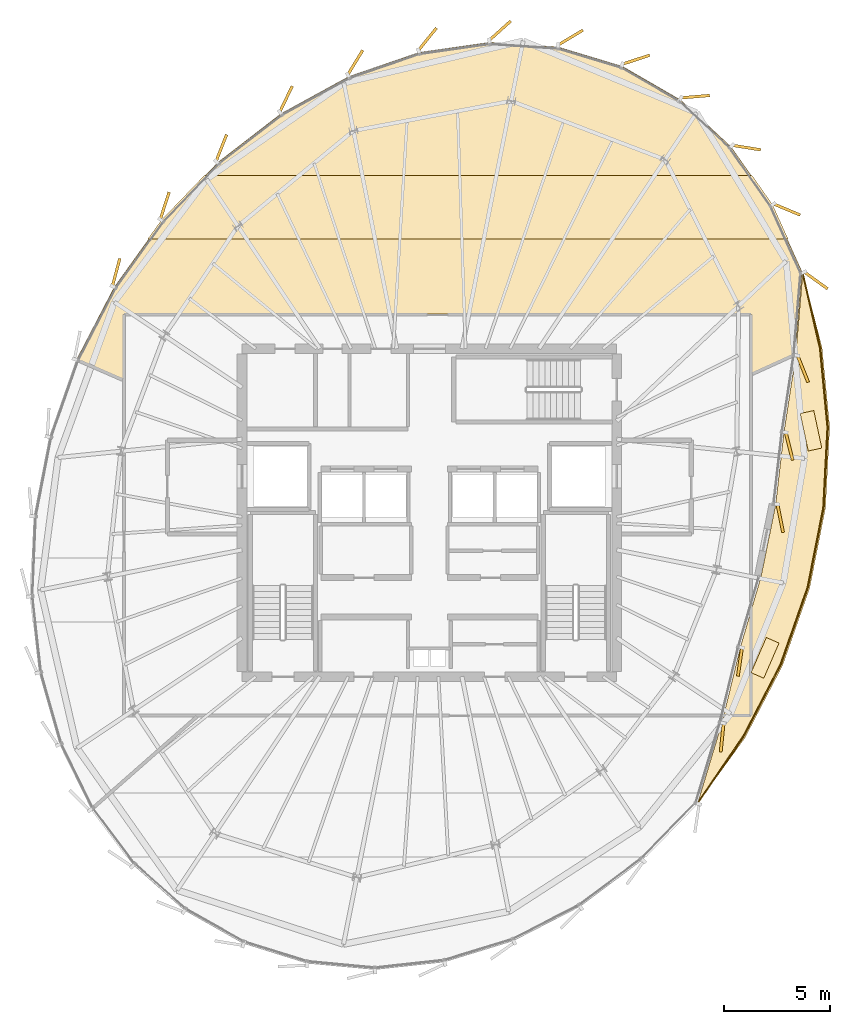
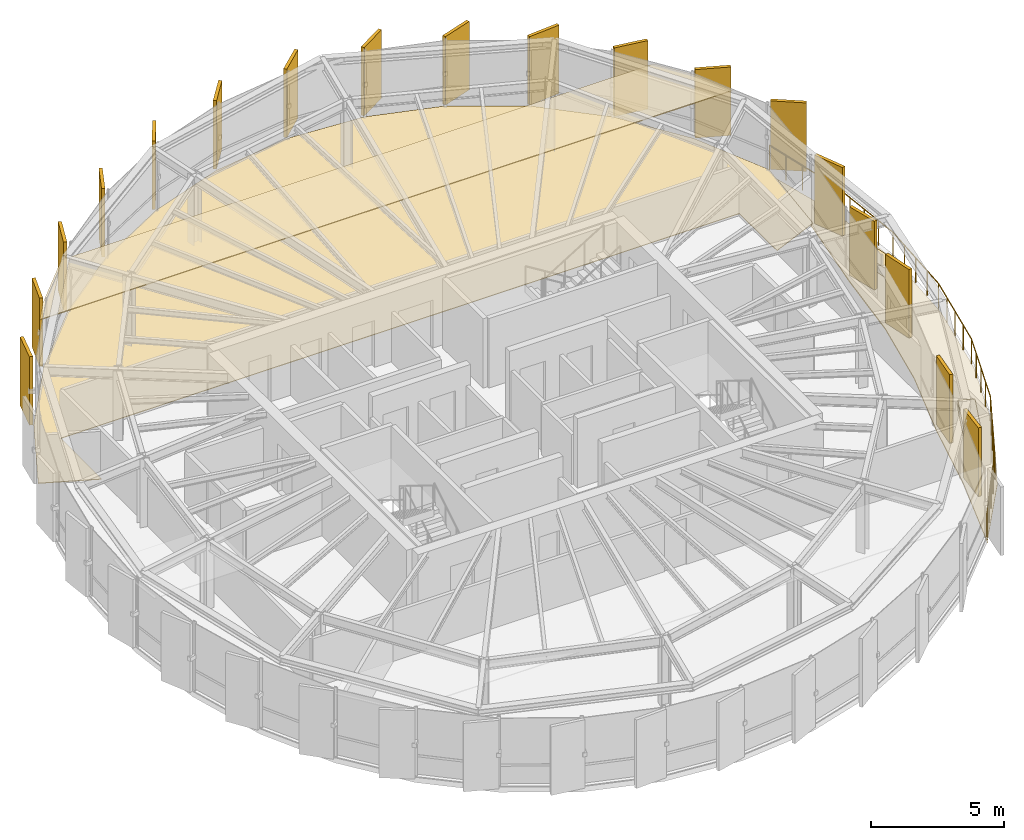
# One storey, part 31 of 31: 23 coverings, 7 railings.
"""IFC4 building model written with IfcOpenShell, lengths in metres."""

from ifc_helpers import new_model, si_unit, direction, frame, origin, origin_2d, place, context, subcontext, project, spatial, polyline, rectangle, circle, outline, extrude, source, transform, mapped, material, layer, layer_set, type_object, element, save


model = new_model("IFC4")

# Units and contexts
model_context = context("Model", 3, precision=1e-05, world=origin(), true_north=direction((0.0, 1.0)))
body_context = subcontext(model_context, "Body", "Model", "MODEL_VIEW")
ifc_project = project(units=[si_unit("LENGTHUNIT", "METRE"), si_unit("AREAUNIT", "SQUARE_METRE"), si_unit("VOLUMEUNIT", "CUBIC_METRE"), si_unit("PLANEANGLEUNIT", "RADIAN"), si_unit("MASSUNIT", "GRAM", prefix="KILO"), si_unit("THERMODYNAMICTEMPERATUREUNIT", "KELVIN")], contexts=[model_context])

# Site, building, storey
site_placement = place(None, origin())
site = spatial("IfcSite", under=ifc_project, at=site_placement, CompositionType="ELEMENT")
building_placement = place(site_placement, origin())
building = spatial("IfcBuilding", under=site, at=building_placement, Name="Kethvar Cultural Tower", CompositionType="ELEMENT")
storey_placement = place(building_placement, frame((0.0, 0.0, 300.85009765625)))
storey = spatial("IfcBuildingStorey", under=building, at=storey_placement, Name="L80", CompositionType="ELEMENT", Elevation=300.85009765625)

# Coverings
ifc_material_1 = material(Name="Acoustic Mineral Fibre Ceiling")
ifc_layer_1 = layer(ifc_material_1, 0.0400390625, Name="Acoustic Mineral Fibre Ceiling")
ifc_layer_set_1 = layer_set([ifc_layer_1], Name="Acoustic Mineral Fibre Ceiling (40 mm)")
covering_type_1 = type_object("IfcCoveringType", Name="CV-ACOUSTIC-CEIL", PredefinedType="CEILING", material=ifc_layer_set_1)
covering_1_placement = place(storey_placement, frame((0.0, 0.0, 2.889892578125)))
element("IfcCovering", 1, at=covering_1_placement, inside=storey, type_object=covering_type_1, Name="L80 Room 02 Acoustic Ceiling Panel", PredefinedType="CEILING", context=body_context, shape_type="SweptSolid", body=[
    extrude(outline(polyline([(34.210205078125, 41.530517578125), (36.23876953125, 43.64208984375), (61.948486328125, 43.64208984375), (62.91943359375, 42.259765625), (63.643798828125, 40.652099609375), (33.580322265625, 40.652099609375), (34.210205078125, 41.530517578125)])), origin(), (0.0, 0.0, 1.0), 0.0400390625),
])
ifc_material_2 = material(Name="Architectural Oak Timber", Category="wood")
ifc_layer_2 = layer(ifc_material_2, 0.02490234375, Name="Architectural Oak Timber", Category="wood")
ifc_layer_set_2 = layer_set([ifc_layer_2], Name="Architectural Oak Timber (25 mm)")
covering_type_2 = type_object("IfcCoveringType", Name="CV-OAK-FLOOR", PredefinedType="FLOORING", material=ifc_layer_set_2)
covering_2_placement = place(storey_placement, origin())
element("IfcCovering", 2, at=covering_2_placement, inside=storey, type_object=covering_type_2, Name="L80 Room 02 Floor Finish", PredefinedType="FLOORING", context=body_context, shape_type="SweptSolid", body=[
    extrude(outline(polyline([(32.002685546875, 38.3837890625), (34.241943359375, 41.506103515625), (36.880126953125, 44.251953125), (39.836181640625, 46.535400390625), (43.015869140625, 48.27734375), (46.315673828125, 49.409912109375), (49.6279296875, 49.882080078125), (52.84619140625, 49.664794921875), (55.867919921875, 48.75439453125), (58.599853515625, 47.1748046875), (60.961181640625, 44.977783203125), (62.884521484375, 42.239990234375), (64.31640625, 39.062255859375), (63.98681640625, 35.19677734375), (61.922119140625, 34.310791015625), (61.904052734375, 37.119873046875), (32.4599609375, 37.1201171875), (32.43994140625, 34.035888671875), (30.236572265625, 34.989501953125), (32.002685546875, 38.3837890625)])), origin(), (0.0, 0.0, 1.0), 0.02490234375),
])
ifc_material_3 = material(Name="Insulated Waterproofing Membrane")
ifc_layer_3 = layer(ifc_material_3, 0.06005859375, Name="Insulated Waterproofing Membrane")
ifc_layer_set_3 = layer_set([ifc_layer_3], Name="Insulated Waterproofing Membrane (60 mm)")
covering_type_3 = type_object("IfcCoveringType", Name="CV-ROOF-MEMB", PredefinedType="ROOFING", material=ifc_layer_set_3)
covering_3_placement = place(storey_placement, frame((0.0, 0.0, -0.275146484375)))
element("IfcCovering", 3, at=covering_3_placement, inside=storey, type_object=covering_type_3, Name="L80 Terrace Waterproofing", PredefinedType="ROOFING", context=body_context, shape_type="SweptSolid", body=[
    extrude(outline(polyline([(59.395263671875, 14.13134765625), (61.618408203125, 17.215087890625), (63.39111328125, 20.620361328125), (64.663818359375, 24.253173828125), (65.40771484375, 28.025634765625), (65.603515625, 31.831298828125), (65.244384765625, 35.552490234375), (64.3369140625, 39.06591796875), (64.005859375, 35.18310546875), (63.455810546875, 31.5830078125), (63.06201171875, 28.1650390625), (62.3779296875, 24.797607421875), (61.406982421875, 21.47900390625), (60.539306640625, 17.926513671875), (59.395263671875, 14.13134765625)])), origin(), (0.0, 0.0, 1.0), 0.06005859375),
])

# Railings
ifc_material_4 = material(Name="Steel S355J2", Category="steel")
railing_type = type_object("IfcRailingType", Name="RL-EXT-GUARD-1150", PredefinedType="BALUSTRADE", material=ifc_material_4)
railing_1_placement = place(storey_placement, frame((59.395263671875, 14.13134765625, 0.0)))
element("IfcRailing", 4, at=railing_1_placement, inside=storey, type_object=railing_type, Name="L80 Spiralling Terrace Balustrade 01", PredefinedType="BALUSTRADE", context=body_context, shape_type="SweptSolid", body=[
    extrude(circle(Radius=0.02392578125, at=origin_2d()), frame((0.0, 0.0, 1.1259765625), z_axis=(0.563235210067, 0.826296616319, 0.0), x_axis=(-0.826296616319, 0.563235210067, 0.0)), (0.0, 0.0, 1.0), 3.80224609375),
    extrude(circle(Radius=0.02099609375, at=origin_2d()), origin(), (0.0, 0.0, 1.0), 1.101806640625),
    extrude(circle(Radius=0.02099609375, at=origin_2d()), frame((0.535400390625, 0.785400390625, 0.0)), (0.0, 0.0, 1.0), 1.101806640625),
    extrude(circle(Radius=0.02099609375, at=origin_2d()), frame((1.07080078125, 1.57080078125, 0.0)), (0.0, 0.0, 1.0), 1.101806640625),
    extrude(circle(Radius=0.02099609375, at=origin_2d()), frame((1.606201171875, 2.3564453125, 0.0)), (0.0, 0.0, 1.0), 1.101806640625),
    extrude(circle(Radius=0.02099609375, at=origin_2d()), frame((2.1416015625, 3.141845703125, 0.0)), (0.0, 0.0, 1.0), 1.101806640625),
])
railing_2_placement = place(storey_placement, frame((61.536865234375, 17.273193359375, 0.0)))
element("IfcRailing", 5, at=railing_2_placement, inside=storey, type_object=railing_type, Name="L80 Spiralling Terrace Balustrade 02", PredefinedType="BALUSTRADE", context=body_context, shape_type="SweptSolid", body=[
    extrude(circle(Radius=0.02392578125, at=origin_2d()), frame((0.0, 0.0, 1.1259765625), z_axis=(0.461606396965, 0.887084851793, 0.0), x_axis=(-0.887084851793, 0.461606396965, 0.0)), (0.0, 0.0, 1.0), 3.818115234375),
    extrude(circle(Radius=0.02099609375, at=origin_2d()), origin(), (0.0, 0.0, 1.0), 1.101806640625),
    extrude(circle(Radius=0.02099609375, at=origin_2d()), frame((0.440673828125, 0.8466796875, 0.0)), (0.0, 0.0, 1.0), 1.101806640625),
    extrude(circle(Radius=0.02099609375, at=origin_2d()), frame((0.88134765625, 1.693359375, 0.0)), (0.0, 0.0, 1.0), 1.101806640625),
    extrude(circle(Radius=0.02099609375, at=origin_2d()), frame((1.32177734375, 2.540283203125, 0.0)), (0.0, 0.0, 1.0), 1.101806640625),
    extrude(circle(Radius=0.02099609375, at=origin_2d()), frame((1.762451171875, 3.386962890625, 0.0)), (0.0, 0.0, 1.0), 1.101806640625),
])
railing_3_placement = place(storey_placement, frame((63.29931640625, 20.66015625, 0.0)))
element("IfcRailing", 6, at=railing_3_placement, inside=storey, type_object=railing_type, Name="L80 Spiralling Terrace Balustrade 03", PredefinedType="BALUSTRADE", context=body_context, shape_type="SweptSolid", body=[
    extrude(circle(Radius=0.02392578125, at=origin_2d()), frame((0.0, 0.0, 1.1259765625), z_axis=(0.330864552541, 0.943678254424, 0.0), x_axis=(-0.943678254424, 0.330864552541, 0.0)), (0.0, 0.0, 1.0), 3.828125),
    extrude(circle(Radius=0.02099609375, at=origin_2d()), origin(), (0.0, 0.0, 1.0), 1.101806640625),
    extrude(circle(Radius=0.02099609375, at=origin_2d()), frame((0.316650390625, 0.903076171875, 0.0)), (0.0, 0.0, 1.0), 1.101806640625),
    extrude(circle(Radius=0.02099609375, at=origin_2d()), frame((0.63330078125, 1.80615234375, 0.0)), (0.0, 0.0, 1.0), 1.101806640625),
    extrude(circle(Radius=0.02099609375, at=origin_2d()), frame((0.949951171875, 2.70947265625, 0.0)), (0.0, 0.0, 1.0), 1.101806640625),
    extrude(circle(Radius=0.02099609375, at=origin_2d()), frame((1.2666015625, 3.612548828125, 0.0)), (0.0, 0.0, 1.0), 1.101806640625),
])
railing_4_placement = place(storey_placement, frame((64.56591796875, 24.272705078125, 0.0)))
element("IfcRailing", 7, at=railing_4_placement, inside=storey, type_object=railing_type, Name="L80 Spiralling Terrace Balustrade 04", PredefinedType="BALUSTRADE", context=body_context, shape_type="SweptSolid", body=[
    extrude(circle(Radius=0.02392578125, at=origin_2d()), frame((0.0, 0.0, 1.1259765625), z_axis=(0.194004111149, 0.981000716033, 0.0), x_axis=(-0.981000716033, 0.194004111149, 0.0)), (0.0, 0.0, 1.0), 3.824462890625),
    extrude(circle(Radius=0.02099609375, at=origin_2d()), origin(), (0.0, 0.0, 1.0), 1.101806640625),
    extrude(circle(Radius=0.02099609375, at=origin_2d()), frame((0.185546875, 0.93798828125, 0.0)), (0.0, 0.0, 1.0), 1.101806640625),
    extrude(circle(Radius=0.02099609375, at=origin_2d()), frame((0.37109375, 1.8759765625, 0.0)), (0.0, 0.0, 1.0), 1.101806640625),
    extrude(circle(Radius=0.02099609375, at=origin_2d()), frame((0.556396484375, 2.813720703125, 0.0)), (0.0, 0.0, 1.0), 1.101806640625),
    extrude(circle(Radius=0.02099609375, at=origin_2d()), frame((0.741943359375, 3.751708984375, 0.0)), (0.0, 0.0, 1.0), 1.101806640625),
])
railing_5_placement = place(storey_placement, frame((65.307861328125, 28.0244140625, 0.0)))
element("IfcRailing", 8, at=railing_5_placement, inside=storey, type_object=railing_type, Name="L80 Spiralling Terrace Balustrade 05", PredefinedType="BALUSTRADE", context=body_context, shape_type="SweptSolid", body=[
    extrude(circle(Radius=0.02392578125, at=origin_2d()), frame((0.0, 0.0, 1.1259765625), z_axis=(0.052227584574, 0.998635208377, 0.0), x_axis=(-0.998635208377, 0.052227584574, 0.0)), (0.0, 0.0, 1.0), 3.791015625),
    extrude(circle(Radius=0.02099609375, at=origin_2d()), origin(), (0.0, 0.0, 1.0), 1.101806640625),
    extrude(circle(Radius=0.02099609375, at=origin_2d()), frame((0.049560546875, 0.946533203125, 0.0)), (0.0, 0.0, 1.0), 1.101806640625),
    extrude(circle(Radius=0.02099609375, at=origin_2d()), frame((0.09912109375, 1.89306640625, 0.0)), (0.0, 0.0, 1.0), 1.101806640625),
    extrude(circle(Radius=0.02099609375, at=origin_2d()), frame((0.1484375, 2.83935546875, 0.0)), (0.0, 0.0, 1.0), 1.101806640625),
    extrude(circle(Radius=0.02099609375, at=origin_2d()), frame((0.197998046875, 3.785888671875, 0.0)), (0.0, 0.0, 1.0), 1.101806640625),
])
railing_6_placement = place(storey_placement, frame((65.505859375, 31.810302734375, 0.0)))
element("IfcRailing", 9, at=railing_6_placement, inside=storey, type_object=railing_type, Name="L80 Spiralling Terrace Balustrade 06", PredefinedType="BALUSTRADE", context=body_context, shape_type="SweptSolid", body=[
    extrude(circle(Radius=0.02392578125, at=origin_2d()), frame((0.0, 0.0, 1.1259765625), z_axis=(-0.095084696811, 0.995469186079, 0.0), x_axis=(-0.995469186079, -0.095084696811, 0.0)), (0.0, 0.0, 1.0), 3.720458984375),
    extrude(circle(Radius=0.02099609375, at=origin_2d()), origin(), (0.0, 0.0, 1.0), 1.101806640625),
    extrude(circle(Radius=0.02099609375, at=origin_2d()), frame((-0.08837890625, 0.92578125, 0.0)), (0.0, 0.0, 1.0), 1.101806640625),
    extrude(circle(Radius=0.02099609375, at=origin_2d()), frame((-0.1767578125, 1.851806640625, 0.0)), (0.0, 0.0, 1.0), 1.101806640625),
    extrude(circle(Radius=0.02099609375, at=origin_2d()), frame((-0.265380859375, 2.77783203125, 0.0)), (0.0, 0.0, 1.0), 1.101806640625),
    extrude(circle(Radius=0.02099609375, at=origin_2d()), frame((-0.353759765625, 3.70361328125, 0.0)), (0.0, 0.0, 1.0), 1.101806640625),
])
railing_7_placement = place(storey_placement, frame((65.152099609375, 35.513916015625, 0.0)))
element("IfcRailing", 10, at=railing_7_placement, inside=storey, type_object=railing_type, Name="L80 Spiralling Terrace Balustrade 07", PredefinedType="BALUSTRADE", context=body_context, shape_type="SweptSolid", body=[
    extrude(circle(Radius=0.02392578125, at=origin_2d()), frame((0.0, 0.0, 1.1259765625), z_axis=(-0.223685107819, 0.974661465607, 0.0), x_axis=(-0.974661465607, -0.223685107819, 0.0)), (0.0, 0.0, 1.0), 3.644287109375),
    extrude(circle(Radius=0.02099609375, at=origin_2d()), origin(), (0.0, 0.0, 1.0), 1.101806640625),
    extrude(circle(Radius=0.02099609375, at=origin_2d()), frame((-0.203857421875, 0.887939453125, 0.0)), (0.0, 0.0, 1.0), 1.101806640625),
    extrude(circle(Radius=0.02099609375, at=origin_2d()), frame((-0.40771484375, 1.77587890625, 0.0)), (0.0, 0.0, 1.0), 1.101806640625),
    extrude(circle(Radius=0.02099609375, at=origin_2d()), frame((-0.611328125, 2.6640625, 0.0)), (0.0, 0.0, 1.0), 1.101806640625),
    extrude(circle(Radius=0.02099609375, at=origin_2d()), frame((-0.815185546875, 3.552001953125, 0.0)), (0.0, 0.0, 1.0), 1.101806640625),
])

# Coverings
ifc_material_5 = material(Name="Extruded Architectural Terracotta", Category="masonry")
ifc_layer_4 = layer(ifc_material_5, 0.419921875, Name="Extruded Architectural Terracotta", Category="masonry")
ifc_layer_set_4 = layer_set([ifc_layer_4], Name="Extruded Architectural Terracotta (420 mm)")
covering_type_4 = type_object("IfcCoveringType", Name="Terracotta Terrace Planter PLANTER-01", PredefinedType="USERDEFINED", material=ifc_layer_set_4)
shared_shape_1 = source(origin(), body_context, "Body", "SweptSolid", [
    extrude(rectangle(XDim=1.800048828125, YDim=0.64990234375, at=origin_2d()), origin(), (0.0, 0.0, 1.0), 0.419921875),
])
for number, where, z_axis, x_axis, name in (
    (11, (62.565185546875, 20.977783203125, 0.0), (0.0, 0.0, 1.0), (0.397147890635, 0.917754625684, 0.0), "L80 Sky Terrace Planter Box A"),
    (12, (64.7236328125, 31.642578125, 0.0), (0.0, 0.0, 1.0), (-0.209618562904, 0.977783236759, 0.0), "L80 Sky Terrace Planter Box B"),
):
    element("IfcCovering", number, at=place(storey_placement, frame(where, z_axis=z_axis, x_axis=x_axis)), inside=storey, type_object=covering_type_4, Name=name, ObjectType="PLANTER", PredefinedType="USERDEFINED", context=body_context, shape_type="MappedRepresentation", body=[
        mapped(shared_shape_1, transform((0.0, 0.0, 0.0), scale=1.0)),
    ])
ifc_layer_5 = layer(ifc_material_5, 0.135009765625, Name="Extruded Architectural Terracotta", Category="masonry")
ifc_layer_set_5 = layer_set([ifc_layer_5], Name="Extruded Architectural Terracotta (135 mm)")
covering_type_5 = type_object("IfcCoveringType", Name="Terracotta Facade Fin FIN-03", PredefinedType="CLADDING", material=ifc_layer_set_5)
shared_shape_2 = source(origin(), body_context, "Body", "SweptSolid", [
    extrude(rectangle(XDim=1.35009765625, YDim=0.135009765625, at=origin_2d()), origin(), (0.0, 0.0, 1.0), 3.14501953125),
])
for number, where, z_axis, x_axis, name in (
    (13, (56.50537109375, 49.072021484375, 0.019775390625), (0.0, 0.0, 1.0), (0.949315815758, 0.314323848843, 0.0), "L80 Vertical Terracotta Fin 1.1"),
    (14, (53.43408203125, 50.111328125, 0.019775390625), (0.0, 0.0, 1.0), (0.857795898543, 0.513990463377, 0.0), "L80 Vertical Terracotta Fin 1.2"),
    (15, (50.11767578125, 50.43310546875, 0.019775390625), (0.0, 0.0, 1.0), (0.74326159948, 0.669000892928, 0.0), "L80 Vertical Terracotta Fin 1.3"),
    (16, (46.707763671875, 50.031494140625, 0.019775390625), (0.0, 0.0, 1.0), (0.626331732926, 0.779556643439, 0.0), "L80 Vertical Terracotta Fin 1.4"),
    (17, (43.32080078125, 48.942138671875, 0.019775390625), (0.0, 0.0, 1.0), (0.520860651188, 0.85364171761, 0.0), "L80 Vertical Terracotta Fin 1.5"),
    (18, (40.06884765625, 47.22412109375, 0.019775390625), (0.0, 0.0, 1.0), (0.433187222339, 0.90130396116, 0.0), "L80 Vertical Terracotta Fin 1.6"),
    (19, (37.0302734375, 44.925048828125, 0.019775390625), (0.0, 0.0, 1.0), (0.364389234658, 0.931246737264, 0.0), "L80 Vertical Terracotta Fin 2.1"),
    (20, (34.36962890625, 42.20751953125, 0.019775390625), (0.0, 0.0, 1.0), (0.308186923436, 0.951325822325, 0.0), "L80 Vertical Terracotta Fin 2.2"),
    (21, (32.0888671875, 39.083251953125, 0.019775390625), (0.0, 0.0, 1.0), (0.257976017359, 0.966151320688, 0.0), "L80 Vertical Terracotta Fin 2.3"),
    (22, (60.549560546875, 17.23583984375, 0.019775390625), (0.0, 0.0, 1.0), (-0.099840745983, -0.995003429864, 0.0), "L80 Vertical Terracotta Fin 5.3"),
    (23, (61.38623046875, 20.78857421875, 0.019775390625), (0.0, 0.0, 1.0), (-0.144528903632, -0.989500579088, 0.0), "L80 Vertical Terracotta Fin 5.4"),
    (24, (63.279296875, 27.52978515625, 0.019775390625), (0.0, 0.0, 1.0), (0.197999507521, -0.980202119474, 0.0), "L80 Vertical Terracotta Fin 6.1"),
    (25, (63.699951171875, 30.916259765625, 0.019775390625), (0.0, 0.0, 1.0), (0.244461291916, -0.969659051809, 0.0), "L80 Vertical Terracotta Fin 6.2"),
    (26, (64.337890625, 34.55029296875, 0.019775390625), (0.0, 0.0, 1.0), (0.37363544353, -0.927575633217, 0.0), "L80 Vertical Terracotta Fin 6.3"),
    (27, (64.956787109375, 38.703125, 0.019775390625), (0.0, 0.0, 1.0), (0.810348553241, -0.585948139565, 0.0), "L80 Vertical Terracotta Fin 6.4"),
    (28, (63.59033203125, 42.035888671875, 0.019775390625), (0.0, 0.0, 1.0), (0.922874504689, -0.385100829128, 0.0), "L80 Vertical Terracotta Fin 6.5"),
    (29, (61.697509765625, 44.943115234375, 0.019775390625), (0.0, 0.0, 1.0), (0.987496482765, -0.157641036938, 0.0), "L80 Vertical Terracotta Fin 6.6"),
    (30, (59.293701171875, 47.334228515625, 0.019775390625), (0.0, 0.0, 1.0), (0.996551034561, 0.082982139742, 0.0), "L80 Vertical Terracotta Fin 7.1"),
):
    element("IfcCovering", number, at=place(storey_placement, frame(where, z_axis=z_axis, x_axis=x_axis)), inside=storey, type_object=covering_type_5, Name=name, PredefinedType="CLADDING", context=body_context, shape_type="MappedRepresentation", body=[
        mapped(shared_shape_2, transform((0.0, 0.0, 0.0), scale=1.0)),
    ])

save(model, "model.ifc")
